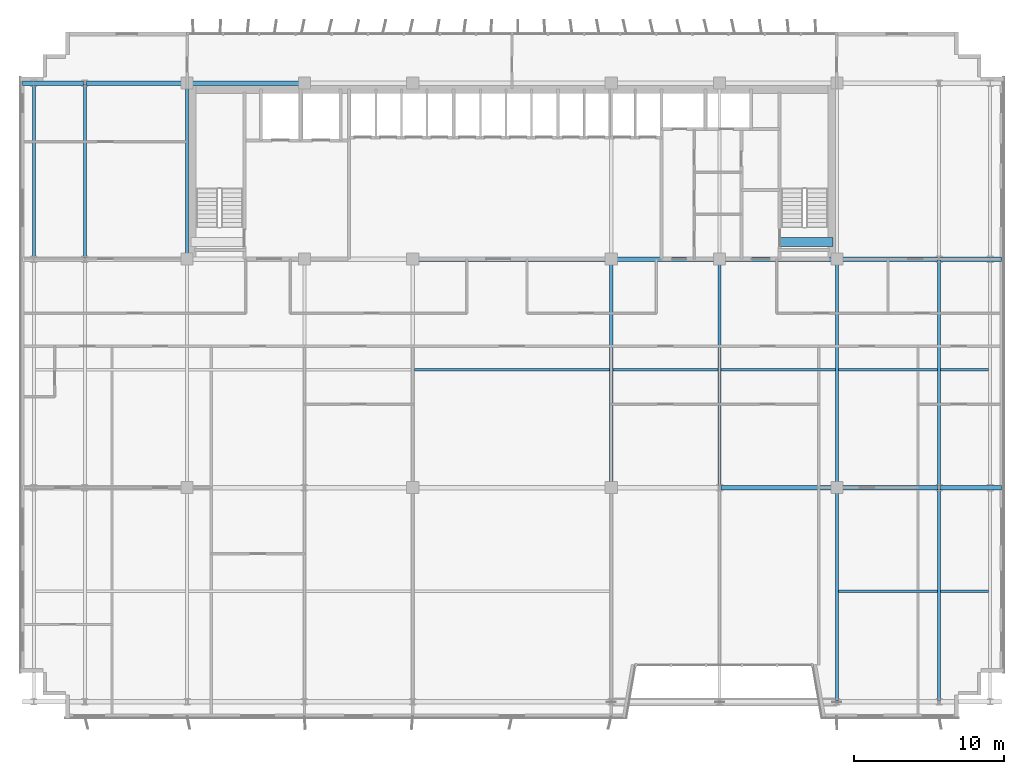
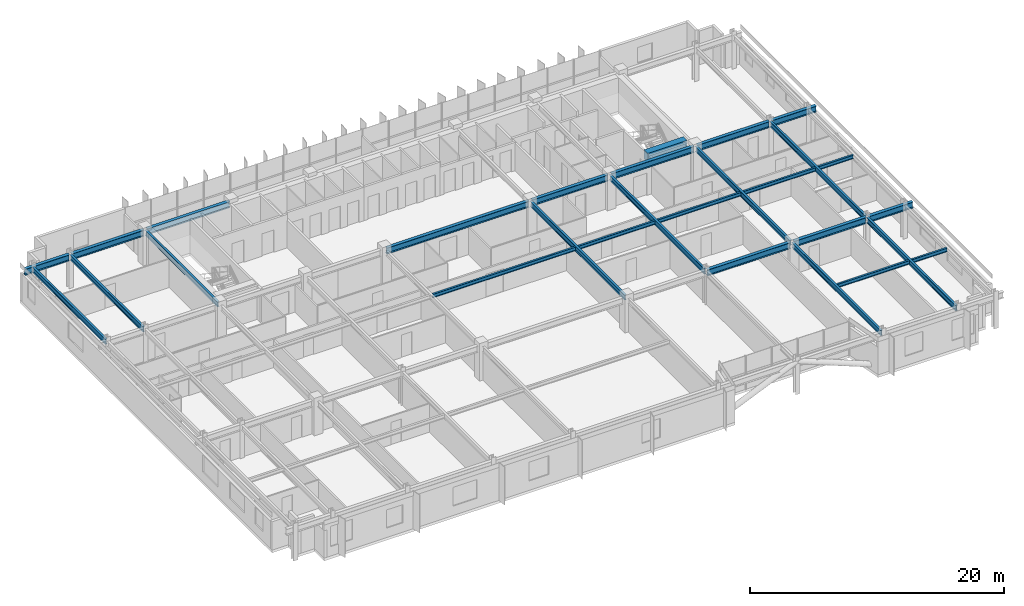
# One storey, part 9 of 26: 28 beams.
"""IFC4 building model written with IfcOpenShell, lengths in metres."""

from ifc_helpers import new_model, si_unit, direction, frame, origin, origin_2d, place, context, subcontext, project, spatial, rectangle, i_section, extrude, source, transform, mapped, material, material_profile, profile_set, type_object, element, save


model = new_model("IFC4")

# Units and contexts
model_context = context("Model", 3, precision=1e-05, world=origin(), true_north=direction((0.0, 1.0)))
body_context = subcontext(model_context, "Body", "Model", "MODEL_VIEW")
ifc_project = project(units=[si_unit("LENGTHUNIT", "METRE"), si_unit("AREAUNIT", "SQUARE_METRE"), si_unit("VOLUMEUNIT", "CUBIC_METRE"), si_unit("PLANEANGLEUNIT", "RADIAN"), si_unit("MASSUNIT", "GRAM", prefix="KILO")], contexts=[model_context])

# Site, building, storey
site_placement = place(None, origin())
site = spatial("IfcSite", under=ifc_project, at=site_placement, CompositionType="ELEMENT")
building_placement = place(site_placement, origin())
building = spatial("IfcBuilding", under=site, at=building_placement, Name="Trelvane Seafront Commons", CompositionType="ELEMENT")
storey_placement = place(building_placement, frame((0.0, 0.0, 128.5)))
storey = spatial("IfcBuildingStorey", under=building, at=storey_placement, Name="L33", CompositionType="ELEMENT", Elevation=128.5)

# Beams
ifc_material_1 = material(Name="Concrete C60/75", Category="concrete")
ifc_material_profile_1 = material_profile(ifc_material_1, rectangle(XDim=0.60009765625, YDim=0.89990234375, at=origin_2d()), Name="RC-600x900")
ifc_profile_set_1 = profile_set([ifc_material_profile_1], Name="Concrete C60/75")
beam_type_1 = type_object("IfcBeamType", Name="STR-LNT-RC600x900", PredefinedType="LINTEL", material=ifc_profile_set_1)
shared_shape_1 = source(origin(), body_context, "Body", "SweptSolid", [
    extrude(rectangle(XDim=0.60009765625, YDim=0.89990234375, at=origin_2d()), origin(), (0.0, 0.0, 1.0), 3.550048828125),
])
beam_1_placement = place(storey_placement, frame((55.0, 34.550048828125, 2.77001953125), z_axis=(1.0, 0.0, 0.0), x_axis=(0.0, 1.0, 0.0)))
element("IfcBeam", 1, at=beam_1_placement, inside=storey, type_object=beam_type_1, Name="L33 Core Coupling Lintel Beam CB-84", PredefinedType="LINTEL", context=body_context, shape_type="MappedRepresentation", body=[
    mapped(shared_shape_1, transform((0.0, 0.0, 0.0), x_axis=(1.0, 0.0, 0.0), y_axis=(0.0, 1.0, 0.0), z_axis=(0.0, 0.0, 1.0), scale=1.0)),
])
ifc_material_2 = material(Name="Steel SM355 (S355)", Category="steel")
ifc_material_profile_2 = material_profile(ifc_material_2, i_section(OverallWidth=0.300048828125, OverallDepth=0.587890625, WebThickness=0.011962890625, FlangeThickness=0.02001953125, at=origin_2d()), Name="H-588x300x12x20")
ifc_profile_set_2 = profile_set([ifc_material_profile_2], Name="Steel SM355 (S355)")
beam_type_2 = type_object("IfcBeamType", Name="STR-BM-H588", PredefinedType="BEAM", material=ifc_profile_set_2)
shared_shape_2 = source(origin(), body_context, "Body", "SweptSolid", [
    extrude(i_section(OverallWidth=0.300048828125, OverallDepth=0.587890625, WebThickness=0.011962890625, FlangeThickness=0.02001953125, at=origin_2d()), origin(), (0.0, 0.0, 1.0), 6.550048828125),
])
for number, where, z_axis, x_axis, name in (
    (2, (58.949951171875, 18.199951171875, 2.926025390625), (1.0, 0.0, 0.0), (0.0, 1.0, 0.0), "L33 Primary Girder G-17"),
    (3, (58.949951171875, 33.39990234375, 2.926025390625), (1.0, 0.0, 0.0), (0.0, 1.0, 0.0), "L33 Primary Girder G-26"),
    (4, (8.89990234375, 45.10009765625, 2.926025390625), (1.0, 0.0, 0.0), (0.0, 1.0, 0.0), "L33 Primary Girder G-29"),
):
    element("IfcBeam", number, at=place(storey_placement, frame(where, z_axis=z_axis, x_axis=x_axis)), inside=storey, type_object=beam_type_2, Name=name, PredefinedType="BEAM", context=body_context, shape_type="MappedRepresentation", body=[
        mapped(shared_shape_2, transform((0.0, 0.0, 0.0), x_axis=(1.0, 0.0, 0.0), y_axis=(0.0, 1.0, 0.0), z_axis=(0.0, 0.0, 1.0), scale=1.0)),
    ])
shared_shape_3 = source(origin(), body_context, "Body", "SweptSolid", [
    extrude(i_section(OverallWidth=0.300048828125, OverallDepth=0.587890625, WebThickness=0.011962890625, FlangeThickness=0.02001953125, at=origin_2d()), origin(), (0.0, 0.0, 1.0), 12.89990234375),
])
beam_2_placement = place(storey_placement, frame((30.75, 33.39990234375, 2.926025390625), z_axis=(1.0, 0.0, 0.0), x_axis=(0.0, 1.0, 0.0)))
element("IfcBeam", 5, at=beam_2_placement, inside=storey, type_object=beam_type_2, Name="L33 Primary Girder G-23", PredefinedType="BEAM", context=body_context, shape_type="MappedRepresentation", body=[
    mapped(shared_shape_3, transform((0.0, 0.0, 0.0), x_axis=(1.0, 0.0, 0.0), y_axis=(0.0, 1.0, 0.0), z_axis=(0.0, 0.0, 1.0), scale=1.0)),
])
shared_shape_4 = source(origin(), body_context, "Body", "SweptSolid", [
    extrude(i_section(OverallWidth=0.300048828125, OverallDepth=0.587890625, WebThickness=0.011962890625, FlangeThickness=0.02001953125, at=origin_2d()), origin(), (0.0, 0.0, 1.0), 7.5498046875),
])
beam_3_placement = place(storey_placement, frame((51.10009765625, 18.199951171875, 2.926025390625), z_axis=(1.0, 0.0, 0.0), x_axis=(0.0, 1.0, 0.0)))
element("IfcBeam", 6, at=beam_3_placement, inside=storey, type_object=beam_type_2, Name="L33 Primary Girder G-16", PredefinedType="BEAM", context=body_context, shape_type="MappedRepresentation", body=[
    mapped(shared_shape_4, transform((0.0, 0.0, 0.0), x_axis=(1.0, 0.0, 0.0), y_axis=(0.0, 1.0, 0.0), z_axis=(0.0, 0.0, 1.0), scale=1.0)),
])
shared_shape_5 = source(origin(), body_context, "Body", "SweptSolid", [
    extrude(i_section(OverallWidth=0.300048828125, OverallDepth=0.587890625, WebThickness=0.011962890625, FlangeThickness=0.02001953125, at=origin_2d()), origin(), (0.0, 0.0, 1.0), 7.5),
])
for number, where, z_axis, x_axis, name in (
    (7, (51.14990234375, 33.39990234375, 2.926025390625), (1.0, 0.0, 0.0), (0.0, 1.0, 0.0), "L33 Primary Girder G-25"),
    (8, (15.75, 45.10009765625, 2.926025390625), (1.0, 0.0, 0.0), (0.0, 1.0, 0.0), "L33 Primary Girder G-30"),
):
    element("IfcBeam", number, at=place(storey_placement, frame(where, z_axis=z_axis, x_axis=x_axis)), inside=storey, type_object=beam_type_2, Name=name, PredefinedType="BEAM", context=body_context, shape_type="MappedRepresentation", body=[
        mapped(shared_shape_5, transform((0.0, 0.0, 0.0), x_axis=(1.0, 0.0, 0.0), y_axis=(0.0, 1.0, 0.0), z_axis=(0.0, 0.0, 1.0), scale=1.0)),
    ])
shared_shape_6 = source(origin(), body_context, "Body", "SweptSolid", [
    extrude(i_section(OverallWidth=0.300048828125, OverallDepth=0.587890625, WebThickness=0.011962890625, FlangeThickness=0.02001953125, at=origin_2d()), origin(), (0.0, 0.0, 1.0), 6.900146484375),
])
beam_4_placement = place(storey_placement, frame((43.949951171875, 33.39990234375, 2.926025390625), z_axis=(1.0, 0.0, 0.0), x_axis=(0.0, 1.0, 0.0)))
element("IfcBeam", 9, at=beam_4_placement, inside=storey, type_object=beam_type_2, Name="L33 Primary Girder G-24", PredefinedType="BEAM", context=body_context, shape_type="MappedRepresentation", body=[
    mapped(shared_shape_6, transform((0.0, 0.0, 0.0), x_axis=(1.0, 0.0, 0.0), y_axis=(0.0, 1.0, 0.0), z_axis=(0.0, 0.0, 1.0), scale=1.0)),
])
ifc_material_profile_3 = material_profile(ifc_material_2, i_section(OverallWidth=0.199951171875, OverallDepth=0.5, WebThickness=0.010009765625, FlangeThickness=0.01611328125, at=origin_2d()), Name="H-500x200x10x16")
ifc_profile_set_3 = profile_set([ifc_material_profile_3], Name="Steel SM355 (S355)")
beam_type_3 = type_object("IfcBeamType", Name="STR-BM-H500", PredefinedType="BEAM", material=ifc_profile_set_3)
shared_shape_7 = source(origin(), body_context, "Body", "SweptSolid", [
    extrude(i_section(OverallWidth=0.199951171875, OverallDepth=0.5, WebThickness=0.010009765625, FlangeThickness=0.01611328125, at=origin_2d()), origin(), (0.0, 0.0, 1.0), 14.050048828125),
])
beam_5_placement = place(storey_placement, frame((65.60009765625, 4.050048828125, 2.969970703125), z_axis=(0.0, 1.0, 0.0), x_axis=(-1.0, 0.0, 0.0)))
element("IfcBeam", 10, at=beam_5_placement, inside=storey, type_object=beam_type_3, Name="L33 Primary Girder G-61", PredefinedType="BEAM", context=body_context, shape_type="MappedRepresentation", body=[
    mapped(shared_shape_7, transform((0.0, 0.0, 0.0), x_axis=(1.0, 0.0, 0.0), y_axis=(0.0, 1.0, 0.0), z_axis=(0.0, 0.0, 1.0), scale=1.0)),
])
shared_shape_8 = source(origin(), body_context, "Body", "SweptSolid", [
    extrude(i_section(OverallWidth=0.199951171875, OverallDepth=0.5, WebThickness=0.010009765625, FlangeThickness=0.01611328125, at=origin_2d()), origin(), (0.0, 0.0, 1.0), 15.0),
])
beam_6_placement = place(storey_placement, frame((65.60009765625, 18.300048828125, 2.969970703125), z_axis=(0.0, 1.0, 0.0), x_axis=(-1.0, 0.0, 0.0)))
element("IfcBeam", 11, at=beam_6_placement, inside=storey, type_object=beam_type_3, Name="L33 Primary Girder G-62", PredefinedType="BEAM", context=body_context, shape_type="MappedRepresentation", body=[
    mapped(shared_shape_8, transform((0.0, 0.0, 0.0), x_axis=(1.0, 0.0, 0.0), y_axis=(0.0, 1.0, 0.0), z_axis=(0.0, 0.0, 1.0), scale=1.0)),
])
shared_shape_9 = source(origin(), body_context, "Body", "SweptSolid", [
    extrude(i_section(OverallWidth=0.199951171875, OverallDepth=0.5, WebThickness=0.010009765625, FlangeThickness=0.01611328125, at=origin_2d()), origin(), (0.0, 0.0, 1.0), 11.5),
])
for number, where, z_axis, x_axis, name in (
    (12, (5.39990234375, 33.5, 2.969970703125), (0.0, 1.0, 0.0), (-1.0, 0.0, 0.0), "L33 Primary Girder G-39"),
    (13, (8.800048828125, 33.5, 2.969970703125), (0.0, 1.0, 0.0), (-1.0, 0.0, 0.0), "L33 Primary Girder G-42"),
):
    element("IfcBeam", number, at=place(storey_placement, frame(where, z_axis=z_axis, x_axis=x_axis)), inside=storey, type_object=beam_type_3, Name=name, PredefinedType="BEAM", context=body_context, shape_type="MappedRepresentation", body=[
        mapped(shared_shape_9, transform((0.0, 0.0, 0.0), x_axis=(1.0, 0.0, 0.0), y_axis=(0.0, 1.0, 0.0), z_axis=(0.0, 0.0, 1.0), scale=1.0)),
    ])
shared_shape_10 = source(origin(), body_context, "Body", "SweptSolid", [
    extrude(i_section(OverallWidth=0.199951171875, OverallDepth=0.5, WebThickness=0.010009765625, FlangeThickness=0.01611328125, at=origin_2d()), origin(), (0.0, 0.0, 1.0), 14.0),
])
beam_7_placement = place(storey_placement, frame((58.800048828125, 4.050048828125, 2.969970703125), z_axis=(0.0, 1.0, 0.0), x_axis=(-1.0, 0.0, 0.0)))
element("IfcBeam", 14, at=beam_7_placement, inside=storey, type_object=beam_type_3, Name="L33 Primary Girder G-58", PredefinedType="BEAM", context=body_context, shape_type="MappedRepresentation", body=[
    mapped(shared_shape_10, transform((0.0, 0.0, 0.0), x_axis=(1.0, 0.0, 0.0), y_axis=(0.0, 1.0, 0.0), z_axis=(0.0, 0.0, 1.0), scale=1.0)),
])
shared_shape_11 = source(origin(), body_context, "Body", "SweptSolid", [
    extrude(i_section(OverallWidth=0.199951171875, OverallDepth=0.5, WebThickness=0.010009765625, FlangeThickness=0.01611328125, at=origin_2d()), origin(), (0.0, 0.0, 1.0), 14.89990234375),
])
for number, where, z_axis, x_axis, name in (
    (15, (43.800048828125, 18.35009765625, 2.969970703125), (0.0, 1.0, 0.0), (-1.0, 0.0, 0.0), "L33 Primary Girder G-53"),
    (16, (58.800048828125, 18.35009765625, 2.969970703125), (0.0, 1.0, 0.0), (-1.0, 0.0, 0.0), "L33 Primary Girder G-59"),
):
    element("IfcBeam", number, at=place(storey_placement, frame(where, z_axis=z_axis, x_axis=x_axis)), inside=storey, type_object=beam_type_3, Name=name, PredefinedType="BEAM", context=body_context, shape_type="MappedRepresentation", body=[
        mapped(shared_shape_11, transform((0.0, 0.0, 0.0), x_axis=(1.0, 0.0, 0.0), y_axis=(0.0, 1.0, 0.0), z_axis=(0.0, 0.0, 1.0), scale=1.0)),
    ])
shared_shape_12 = source(origin(), body_context, "Body", "SweptSolid", [
    extrude(i_section(OverallWidth=0.199951171875, OverallDepth=0.5, WebThickness=0.010009765625, FlangeThickness=0.01611328125, at=origin_2d()), origin(), (0.0, 0.0, 1.0), 11.39990234375),
])
beam_8_placement = place(storey_placement, frame((15.60009765625, 33.550048828125, 2.969970703125), z_axis=(0.0, 1.0, 0.0), x_axis=(-1.0, 0.0, 0.0)))
element("IfcBeam", 17, at=beam_8_placement, inside=storey, type_object=beam_type_3, Name="L33 Primary Girder G-45", PredefinedType="BEAM", context=body_context, shape_type="MappedRepresentation", body=[
    mapped(shared_shape_12, transform((0.0, 0.0, 0.0), x_axis=(1.0, 0.0, 0.0), y_axis=(0.0, 1.0, 0.0), z_axis=(0.0, 0.0, 1.0), scale=1.0)),
])
shared_shape_13 = source(origin(), body_context, "Body", "SweptSolid", [
    extrude(i_section(OverallWidth=0.199951171875, OverallDepth=0.5, WebThickness=0.010009765625, FlangeThickness=0.01611328125, at=origin_2d()), origin(), (0.0, 0.0, 1.0), 14.949951171875),
])
beam_9_placement = place(storey_placement, frame((51.0, 18.300048828125, 2.969970703125), z_axis=(0.0, 1.0, 0.0), x_axis=(-1.0, 0.0, 0.0)))
element("IfcBeam", 18, at=beam_9_placement, inside=storey, type_object=beam_type_3, Name="L33 Primary Girder G-56", PredefinedType="BEAM", context=body_context, shape_type="MappedRepresentation", body=[
    mapped(shared_shape_13, transform((0.0, 0.0, 0.0), x_axis=(1.0, 0.0, 0.0), y_axis=(0.0, 1.0, 0.0), z_axis=(0.0, 0.0, 1.0), scale=1.0)),
])
ifc_material_profile_4 = material_profile(ifc_material_2, i_section(OverallWidth=0.175048828125, OverallDepth=0.35009765625, WebThickness=0.007080078125, FlangeThickness=0.010986328125, at=origin_2d()), Name="H-350x175x7x11")
ifc_profile_set_4 = profile_set([ifc_material_profile_4], Name="Steel SM355 (S355)")
beam_type_4 = type_object("IfcBeamType", Name="STR-JST-H350", PredefinedType="JOIST", material=ifc_profile_set_4)
shared_shape_14 = source(origin(), body_context, "Body", "SweptSolid", [
    extrude(i_section(OverallWidth=0.175048828125, OverallDepth=0.35009765625, WebThickness=0.007080078125, FlangeThickness=0.010986328125, at=origin_2d()), origin(), (0.0, 0.0, 1.0), 3.199951171875),
])
for number, where, z_axis, x_axis, name in (
    (19, (65.699951171875, 11.324951171875, 3.044921875), (1.0, 0.0, 0.0), (0.0, 1.0, 0.0), "L33 Secondary Floor Joist B-73"),
    (20, (65.699951171875, 26.050048828125, 3.044921875), (1.0, 0.0, 0.0), (0.0, 1.0, 0.0), "L33 Secondary Floor Joist B-82"),
):
    element("IfcBeam", number, at=place(storey_placement, frame(where, z_axis=z_axis, x_axis=x_axis)), inside=storey, type_object=beam_type_4, Name=name, PredefinedType="JOIST", context=body_context, shape_type="MappedRepresentation", body=[
        mapped(shared_shape_14, transform((0.0, 0.0, 0.0), x_axis=(1.0, 0.0, 0.0), y_axis=(0.0, 1.0, 0.0), z_axis=(0.0, 0.0, 1.0), scale=1.0)),
    ])
shared_shape_15 = source(origin(), body_context, "Body", "SweptSolid", [
    extrude(i_section(OverallWidth=0.175048828125, OverallDepth=0.35009765625, WebThickness=0.007080078125, FlangeThickness=0.010986328125, at=origin_2d()), origin(), (0.0, 0.0, 1.0), 6.60009765625),
])
for number, where, z_axis, x_axis, name in (
    (21, (58.89990234375, 11.324951171875, 3.044921875), (1.0, 0.0, 0.0), (0.0, 1.0, 0.0), "L33 Secondary Floor Joist B-72"),
    (22, (58.89990234375, 26.050048828125, 3.044921875), (1.0, 0.0, 0.0), (0.0, 1.0, 0.0), "L33 Secondary Floor Joist B-81"),
):
    element("IfcBeam", number, at=place(storey_placement, frame(where, z_axis=z_axis, x_axis=x_axis)), inside=storey, type_object=beam_type_4, Name=name, PredefinedType="JOIST", context=body_context, shape_type="MappedRepresentation", body=[
        mapped(shared_shape_15, transform((0.0, 0.0, 0.0), x_axis=(1.0, 0.0, 0.0), y_axis=(0.0, 1.0, 0.0), z_axis=(0.0, 0.0, 1.0), scale=1.0)),
    ])
shared_shape_16 = source(origin(), body_context, "Body", "SweptSolid", [
    extrude(i_section(OverallWidth=0.175048828125, OverallDepth=0.35009765625, WebThickness=0.007080078125, FlangeThickness=0.010986328125, at=origin_2d()), origin(), (0.0, 0.0, 1.0), 7.0),
])
beam_10_placement = place(storey_placement, frame((43.89990234375, 26.050048828125, 3.044921875), z_axis=(1.0, 0.0, 0.0), x_axis=(0.0, 1.0, 0.0)))
element("IfcBeam", 23, at=beam_10_placement, inside=storey, type_object=beam_type_4, Name="L33 Secondary Floor Joist B-79", PredefinedType="JOIST", context=body_context, shape_type="MappedRepresentation", body=[
    mapped(shared_shape_16, transform((0.0, 0.0, 0.0), x_axis=(1.0, 0.0, 0.0), y_axis=(0.0, 1.0, 0.0), z_axis=(0.0, 0.0, 1.0), scale=1.0)),
])
shared_shape_17 = source(origin(), body_context, "Body", "SweptSolid", [
    extrude(i_section(OverallWidth=0.175048828125, OverallDepth=0.35009765625, WebThickness=0.007080078125, FlangeThickness=0.010986328125, at=origin_2d()), origin(), (0.0, 0.0, 1.0), 13.0),
])
beam_11_placement = place(storey_placement, frame((30.699951171875, 26.050048828125, 3.044921875), z_axis=(1.0, 0.0, 0.0), x_axis=(0.0, 1.0, 0.0)))
element("IfcBeam", 24, at=beam_11_placement, inside=storey, type_object=beam_type_4, Name="L33 Secondary Floor Joist B-78", PredefinedType="JOIST", context=body_context, shape_type="MappedRepresentation", body=[
    mapped(shared_shape_17, transform((0.0, 0.0, 0.0), x_axis=(1.0, 0.0, 0.0), y_axis=(0.0, 1.0, 0.0), z_axis=(0.0, 0.0, 1.0), scale=1.0)),
])
shared_shape_18 = source(origin(), body_context, "Body", "SweptSolid", [
    extrude(i_section(OverallWidth=0.175048828125, OverallDepth=0.35009765625, WebThickness=0.007080078125, FlangeThickness=0.010986328125, at=origin_2d()), origin(), (0.0, 0.0, 1.0), 7.599853515625),
])
beam_12_placement = place(storey_placement, frame((51.10009765625, 26.050048828125, 3.044921875), z_axis=(1.0, 0.0, 0.0), x_axis=(0.0, 1.0, 0.0)))
element("IfcBeam", 25, at=beam_12_placement, inside=storey, type_object=beam_type_4, Name="L33 Secondary Floor Joist B-80", PredefinedType="JOIST", context=body_context, shape_type="MappedRepresentation", body=[
    mapped(shared_shape_18, transform((0.0, 0.0, 0.0), x_axis=(1.0, 0.0, 0.0), y_axis=(0.0, 1.0, 0.0), z_axis=(0.0, 0.0, 1.0), scale=1.0)),
])
shared_shape_19 = source(origin(), body_context, "Body", "SweptSolid", [
    extrude(i_section(OverallWidth=0.300048828125, OverallDepth=0.587890625, WebThickness=0.011962890625, FlangeThickness=0.02001953125, at=origin_2d()), origin(), (0.0, 0.0, 1.0), 4.050048828125),
])
for number, where, z_axis, x_axis, name in (
    (26, (65.699951171875, 18.199951171875, 2.926025390625), (1.0, 0.0, 0.0), (0.0, 1.0, 0.0), "L33 Primary Girder G-18"),
    (27, (65.699951171875, 33.39990234375, 2.926025390625), (1.0, 0.0, 0.0), (0.0, 1.0, 0.0), "L33 Primary Girder G-27"),
    (28, (4.64990234375, 45.10009765625, 2.926025390625), (1.0, 0.0, 0.0), (0.0, 1.0, 0.0), "L33 Primary Girder G-28"),
):
    element("IfcBeam", number, at=place(storey_placement, frame(where, z_axis=z_axis, x_axis=x_axis)), inside=storey, type_object=beam_type_2, Name=name, PredefinedType="BEAM", context=body_context, shape_type="MappedRepresentation", body=[
        mapped(shared_shape_19, transform((0.0, 0.0, 0.0), x_axis=(1.0, 0.0, 0.0), y_axis=(0.0, 1.0, 0.0), z_axis=(0.0, 0.0, 1.0), scale=1.0)),
    ])

save(model, "model.ifc")
